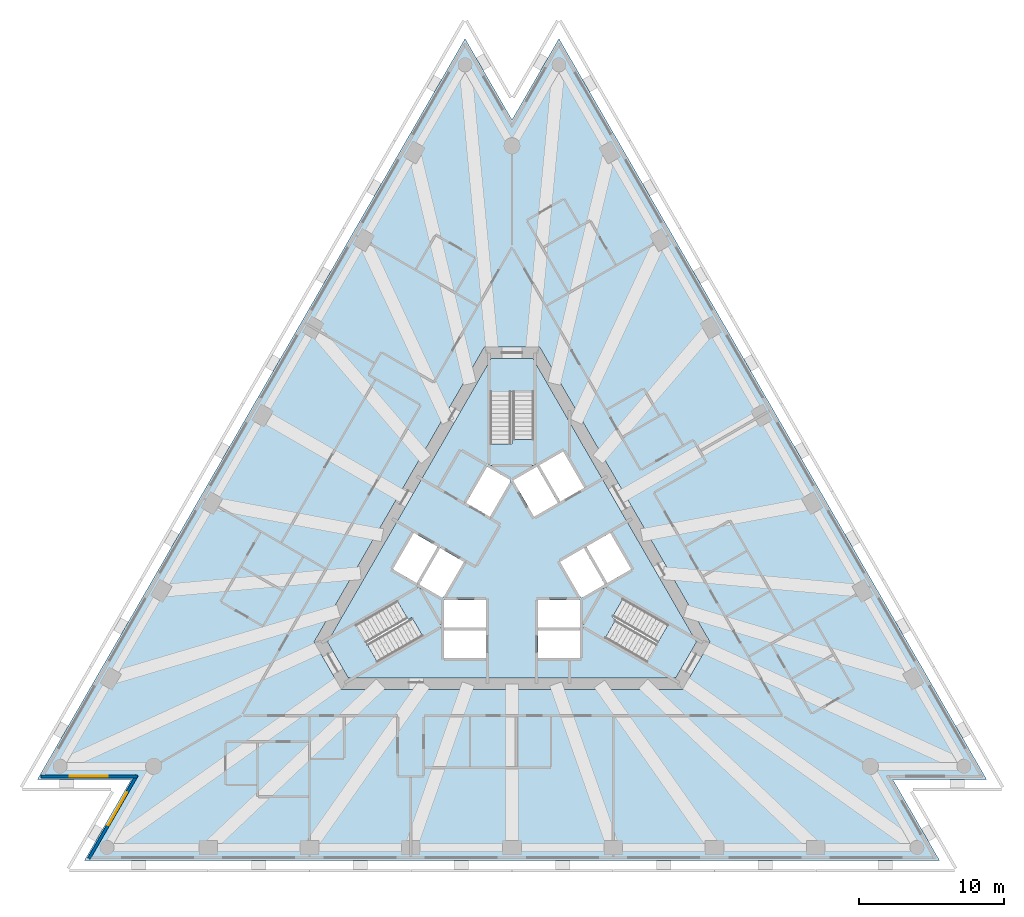
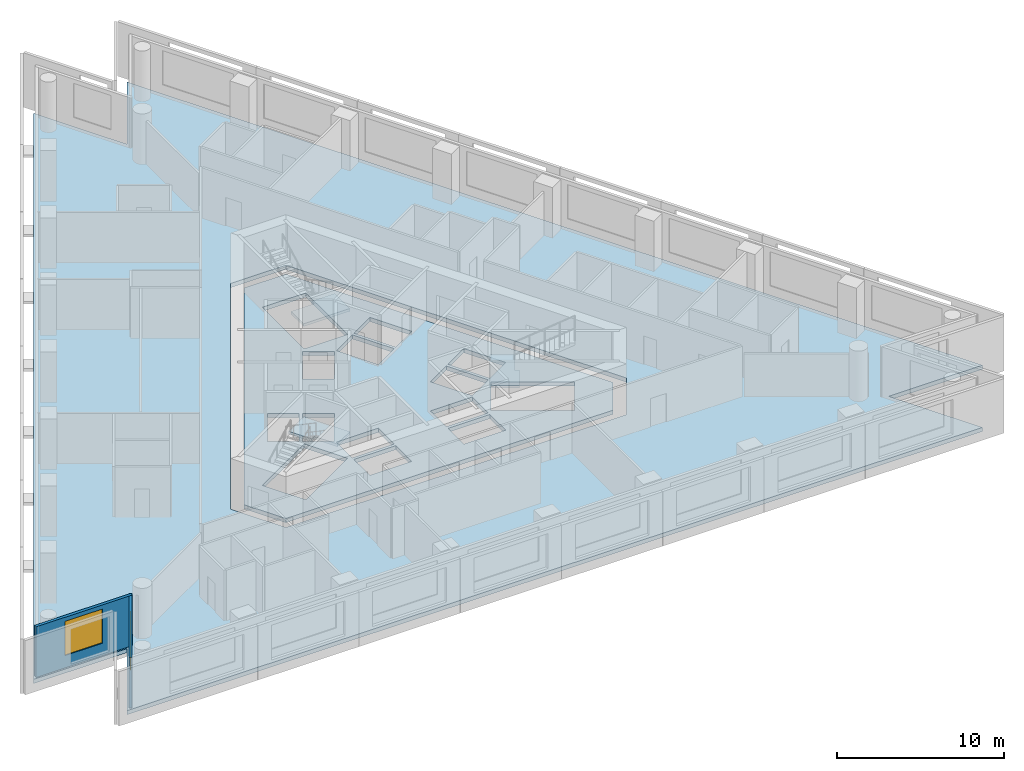
# One storey, part 2 of 10: 5 slabs, 2 walls, 2 windows, 2 openings, 3 elements without a shape of their own.
"""IFC4 building model written with IfcOpenShell, lengths in metres."""

from ifc_helpers import new_model, si_unit, direction, frame, frame_2d, origin, place, context, subcontext, project, spatial, polyline, rectangle, outline, extrude, material, layer, layer_set, layer_usage, type_object, element, fill, aggregate, save


model = new_model("IFC4")

# Units and contexts
model_context = context("Model", 3, precision=1e-05, world=origin(), true_north=direction((0.0, 1.0)))
body_context = subcontext(model_context, "Body", "Model", "MODEL_VIEW")
ifc_project = project(units=[si_unit("LENGTHUNIT", "METRE"), si_unit("AREAUNIT", "SQUARE_METRE"), si_unit("VOLUMEUNIT", "CUBIC_METRE"), si_unit("PLANEANGLEUNIT", "RADIAN"), si_unit("MASSUNIT", "GRAM", prefix="KILO")], contexts=[model_context])

# Site, building, storey
site_placement = place(None, origin())
site = spatial("IfcSite", under=ifc_project, at=site_placement, CompositionType="ELEMENT")
building_placement = place(site_placement, origin())
building = spatial("IfcBuilding", under=site, at=building_placement, Name="Triada Interchange Tower", CompositionType="ELEMENT")
storey_placement = place(building_placement, frame((0.0, 0.0, 108.300048828125)))
storey = spatial("IfcBuildingStorey", under=building, at=storey_placement, Name="L24", CompositionType="ELEMENT", Elevation=108.300048828125)

# Slabs
ifc_material_1 = material(Name="Concrete C50/60", Category="concrete")
ifc_layer_1 = layer(ifc_material_1, 0.300048828125)
ifc_layer_set_1 = layer_set([ifc_layer_1], Name="Floor slab 300")
slab_type_1 = type_object("IfcSlabType", Name="Floor slab 300", PredefinedType="FLOOR", material=ifc_layer_set_1)
slab_1_placement = place(storey_placement, frame((0.0, 0.0, -0.300048828125)))
element("IfcSlab", 1, at=slab_1_placement, inside=storey, type_object=slab_type_1, Name="Floor slab L24", PredefinedType="FLOOR", context=body_context, shape_type="SweptSolid", body=[
    extrude(outline(polyline([(-3.2451171875, 36.012939453125), (-32.81103515625, -15.196044921875), (-26.321044921875, -15.196044921875), (-29.56591796875, -20.81689453125), (29.56591796875, -20.81689453125), (26.321044921875, -15.196044921875), (32.81103515625, -15.196044921875), (3.2451171875, 36.012939453125), (0.0, 30.39306640625), (-3.2451171875, 36.012939453125)]), holes=[polyline([(1.905029296875, 14.699951171875), (-1.905029296875, 14.699951171875), (-13.68310546875, -5.699951171875), (-11.778076171875, -9.0), (11.778076171875, -9.0), (13.68310546875, -5.699951171875), (1.905029296875, 14.699951171875)])]), origin(), (0.0, 0.0, 1.0), 0.300048828125),
])
slab_2_placement = place(storey_placement, frame((0.0, 0.0, -0.300048828125)))
element("IfcSlab", 2, at=slab_2_placement, inside=storey, type_object=slab_type_1, Name="Core floor slab L24 1", PredefinedType="FLOOR", context=body_context, shape_type="SweptSolid", body=[
    extrude(outline(polyline([(12.759033203125, -5.699951171875), (11.31591796875, -8.199951171875), (-11.31591796875, -8.199951171875), (-12.759033203125, -5.699951171875), (-1.443115234375, 13.89990234375), (1.443115234375, 13.89990234375), (12.759033203125, -5.699951171875)]), holes=[polyline([(9.2958984375, -7.09912109375), (10.7958984375, -4.5009765625), (6.466064453125, -2.0009765625), (4.966064453125, -4.59912109375), (9.2958984375, -7.09912109375)]), polyline([(6.7890625, 1.841064453125), (5.14404296875, 0.89111328125), (6.593994140625, -1.6201171875), (8.239013671875, -0.669921875), (6.7890625, 1.841064453125)]), polyline([(4.77490234375, -2.669921875), (6.419921875, -1.719970703125), (4.969970703125, 0.791015625), (3.9150390625, 0.181884765625), (3.324951171875, -0.158935546875), (4.77490234375, -2.669921875)]), polyline([(1.89404296875, 6.52001953125), (3.343994140625, 4.009033203125), (4.989013671875, 4.958984375), (3.5390625, 7.469970703125), (1.89404296875, 6.52001953125)]), polyline([(4.699951171875, -6.800048828125), (4.699951171875, -4.89990234375), (1.800048828125, -4.89990234375), (1.800048828125, -6.800048828125), (4.699951171875, -6.800048828125)]), polyline([(4.699951171875, -2.800048828125), (1.800048828125, -2.800048828125), (1.800048828125, -4.699951171875), (4.699951171875, -4.699951171875), (4.699951171875, -2.800048828125)]), polyline([(0.074951171875, 5.469970703125), (1.52490234375, 2.958984375), (3.169921875, 3.908935546875), (1.719970703125, 6.419921875), (0.074951171875, 5.469970703125)]), polyline([(1.5, 11.60009765625), (-1.5, 11.60009765625), (-1.5, 6.60009765625), (1.5, 6.60009765625), (1.5, 11.60009765625)]), polyline([(-1.52490234375, 2.958984375), (-0.074951171875, 5.469970703125), (-1.719970703125, 6.419921875), (-3.169921875, 3.908935546875), (-1.52490234375, 2.958984375)]), polyline([(-1.800048828125, -2.800048828125), (-4.699951171875, -2.800048828125), (-4.699951171875, -4.699951171875), (-1.800048828125, -4.699951171875), (-1.800048828125, -2.800048828125)]), polyline([(-4.699951171875, -6.800048828125), (-1.800048828125, -6.800048828125), (-1.800048828125, -4.89990234375), (-4.699951171875, -4.89990234375), (-4.699951171875, -6.800048828125)]), polyline([(-4.77490234375, -2.669921875), (-3.324951171875, -0.158935546875), (-4.969970703125, 0.791015625), (-6.419921875, -1.719970703125), (-4.77490234375, -2.669921875)]), polyline([(-10.7958984375, -4.5009765625), (-9.2958984375, -7.09912109375), (-4.966064453125, -4.59912109375), (-6.466064453125, -2.0009765625), (-10.7958984375, -4.5009765625)]), polyline([(-6.593994140625, -1.6201171875), (-5.14404296875, 0.89111328125), (-6.7890625, 1.841064453125), (-8.239013671875, -0.669921875), (-6.593994140625, -1.6201171875)])]), origin(), (0.0, 0.0, 1.0), 0.300048828125),
])

# Stair, slab
ifc_material_2 = material(Name="Concrete C35/45", Category="concrete")
stair_type = type_object("IfcStairType", Name="HALF TURN STAIR 1400", PredefinedType="HALF_TURN_STAIR", material=ifc_material_2)
stair_1_placement = place(storey_placement, origin())
stair_1 = element("IfcStair", 3, at=stair_1_placement, inside=storey, type_object=stair_type, Name="Exit stair S23-1", PredefinedType="HALF_TURN_STAIR")
ifc_layer_2 = layer(ifc_material_2, 0.199951171875)
ifc_layer_set_2 = layer_set([ifc_layer_2], Name="STAIR LANDING 200")
slab_type_2 = type_object("IfcSlabType", Name="STAIR LANDING 200", PredefinedType="LANDING", material=ifc_layer_set_2)
slab_3_placement = place(storey_placement, frame((0.0, 0.0, 1.719970703125)))
slab_3 = element("IfcSlab", 4, at=slab_3_placement, type_object=slab_type_2, Name="S23-1 landing 1", PredefinedType="LANDING", context=body_context, shape_type="SweptSolid", body=[
    extrude(outline(polyline([(1.60009765625, 6.5), (1.60009765625, 8.300048828125), (0.0, 8.300048828125), (0.0, 8.0), (-1.60009765625, 8.0), (-1.60009765625, 6.5), (1.60009765625, 6.5)])), origin(), (0.0, 0.0, 1.0), 0.199951171875),
])
aggregate(stair_1, [slab_3])

stair_2_placement = place(storey_placement, origin())
stair_2 = element("IfcStair", 5, at=stair_2_placement, inside=storey, type_object=stair_type, Name="Exit stair S23-2", PredefinedType="HALF_TURN_STAIR")
slab_4_placement = place(storey_placement, frame((0.0, 0.0, 1.719970703125)))
slab_4 = element("IfcSlab", 6, at=slab_4_placement, type_object=slab_type_2, Name="S23-2 landing 1", PredefinedType="LANDING", context=body_context, shape_type="SweptSolid", body=[
    extrude(outline(polyline([(-6.428955078125, -1.864013671875), (-7.988037109375, -2.763916015625), (-7.18798828125, -4.14990234375), (-6.927978515625, -4.0), (-6.1279296875, -5.385986328125), (-4.8291015625, -4.635986328125), (-6.428955078125, -1.864013671875)])), origin(), (0.0, 0.0, 1.0), 0.199951171875),
])
aggregate(stair_2, [slab_4])

stair_3_placement = place(storey_placement, origin())
stair_3 = element("IfcStair", 7, at=stair_3_placement, inside=storey, type_object=stair_type, Name="Exit stair S23-3", PredefinedType="HALF_TURN_STAIR")
slab_5_placement = place(storey_placement, frame((0.0, 0.0, 1.719970703125)))
slab_5 = element("IfcSlab", 8, at=slab_5_placement, type_object=slab_type_2, Name="S23-3 landing 1", PredefinedType="LANDING", context=body_context, shape_type="SweptSolid", body=[
    extrude(outline(polyline([(4.8291015625, -4.635986328125), (6.387939453125, -5.535888671875), (7.18798828125, -4.14990234375), (6.927978515625, -4.0), (7.72802734375, -2.614013671875), (6.428955078125, -1.864013671875), (4.8291015625, -4.635986328125)])), origin(), (0.0, 0.0, 1.0), 0.199951171875),
])
aggregate(stair_3, [slab_5])

# Wall, opening, window
ifc_material_3 = material(Name="Cement board")
ifc_layer_3 = layer(ifc_material_3, 0.02001953125, Name="Cement board cladding")
ifc_material_4 = material(Name="Sheathing board")
ifc_layer_4 = layer(ifc_material_4, 0.014892578125, Name="Sheathing board")
ifc_material_5 = material(Name="Mineral wool")
ifc_layer_5 = layer(ifc_material_5, 0.14990234375, Name="Mineral wool between steel studs")
ifc_material_6 = material(Name="Gypsum board")
ifc_layer_6 = layer(ifc_material_6, 0.014892578125, Name="Plasterboard lining")
ifc_layer_set_3 = layer_set([ifc_layer_3, ifc_layer_4, ifc_layer_5, ifc_layer_6], Name="External wall 200")
ifc_layer_usage = layer_usage(ifc_layer_set_3, "AXIS2", "POSITIVE", -0.10009765625)
wall_type = type_object("IfcWallType", Name="External wall 200", PredefinedType="ELEMENTEDWALL", material=ifc_layer_set_3)
wall_1_placement = place(storey_placement, frame((-32.554931640625, -14.99609375, 0.0), z_axis=(0.0, 0.0, 1.0), x_axis=(1.0, 0.0, 0.0)))
wall_1 = element("IfcWall", 9, at=wall_1_placement, inside=storey, type_object=wall_type, material=ifc_layer_usage, Name="External wall L24 SW-1", PredefinedType="ELEMENTEDWALL", context=body_context, shape_type="SweptSolid", body=[
    extrude(rectangle(XDim=6.64990234375, YDim=0.199951171875, at=frame_2d((3.324951171875, 0.0))), origin(), (0.0, 0.0, 1.0), 3.699951171875),
])
opening_1_placement = place(wall_1_placement, frame((1.989990234375, 0.0, 0.89990234375)))
opening_1 = element("IfcOpeningElement", 10, at=opening_1_placement, cuts=wall_1, Name="Opening WB09", PredefinedType="OPENING", context=body_context, shape_type="SweptSolid", body=[
    extrude(rectangle(XDim=2.60009765625, YDim=2.5, at=frame_2d((1.300048828125, 1.25))), frame((0.0, 0.10986328125, 0.0), z_axis=(0.0, -1.0, 0.0), x_axis=(1.0, 0.0, 0.0)), (0.0, 0.0, 1.0), 0.219970703125),
])
ifc_material_7 = material(Name="Double glazed aluminium window", Category="aluminium")
window_type = type_object("IfcWindowType", Name="Ribbon window B pocket", PartitioningType="SINGLE_PANEL", PredefinedType="WINDOW", material=ifc_material_7)
window_1_placement = place(opening_1_placement, origin())
window_1 = element("IfcWindow", 11, at=window_1_placement, inside=storey, type_object=window_type, Name="Window L24 SW-1 1", OverallHeight=2.5, OverallWidth=2.60009765625, PartitioningType="SINGLE_PANEL", PredefinedType="WINDOW", context=body_context, shape_type="SweptSolid", body=[
    extrude(rectangle(XDim=2.60009765625, YDim=2.5, at=frame_2d((1.300048828125, 1.25))), frame((0.0, 0.030029296875, 0.0), z_axis=(0.0, -1.0, 0.0), x_axis=(1.0, 0.0, 0.0)), (0.0, 0.0, 1.0), 0.06005859375),
])
fill(opening_1, window_1)

wall_2_placement = place(storey_placement, frame((-25.929931640625, -14.91796875, 0.0), z_axis=(0.0, 0.0, 1.0), x_axis=(-0.499933237632, -0.866063945624, 0.0)))
wall_2 = element("IfcWall", 12, at=wall_2_placement, inside=storey, type_object=wall_type, material=ifc_layer_usage, Name="External wall L24 SW-2", PredefinedType="ELEMENTEDWALL", context=body_context, shape_type="SweptSolid", body=[
    extrude(rectangle(XDim=6.65087890625, YDim=0.199951171875, at=frame_2d((3.325439453125, 0.0))), origin(), (0.0, 0.0, 1.0), 3.699951171875),
])
opening_2_placement = place(wall_2_placement, frame((1.389892578125, 0.0, 0.89990234375)))
opening_2 = element("IfcOpeningElement", 13, at=opening_2_placement, cuts=wall_2, Name="Opening WB10", PredefinedType="OPENING", context=body_context, shape_type="SweptSolid", body=[
    extrude(rectangle(XDim=2.60009765625, YDim=2.5, at=frame_2d((1.300048828125, 1.25))), frame((0.0, 0.10986328125, 0.0), z_axis=(0.0, -1.0, 0.0), x_axis=(1.0, 0.0, 0.0)), (0.0, 0.0, 1.0), 0.219970703125),
])
window_2_placement = place(opening_2_placement, origin())
window_2 = element("IfcWindow", 14, at=window_2_placement, inside=storey, type_object=window_type, Name="Window L24 SW-2 1", OverallHeight=2.5, OverallWidth=2.60009765625, PartitioningType="SINGLE_PANEL", PredefinedType="WINDOW", context=body_context, shape_type="SweptSolid", body=[
    extrude(rectangle(XDim=2.60009765625, YDim=2.5, at=frame_2d((1.300048828125, 1.25))), frame((0.0, 0.030029296875, 0.0), z_axis=(0.0, -1.0, 0.0), x_axis=(1.0, 0.0, 0.0)), (0.0, 0.0, 1.0), 0.06005859375),
])
fill(opening_2, window_2)

save(model, "model.ifc")
